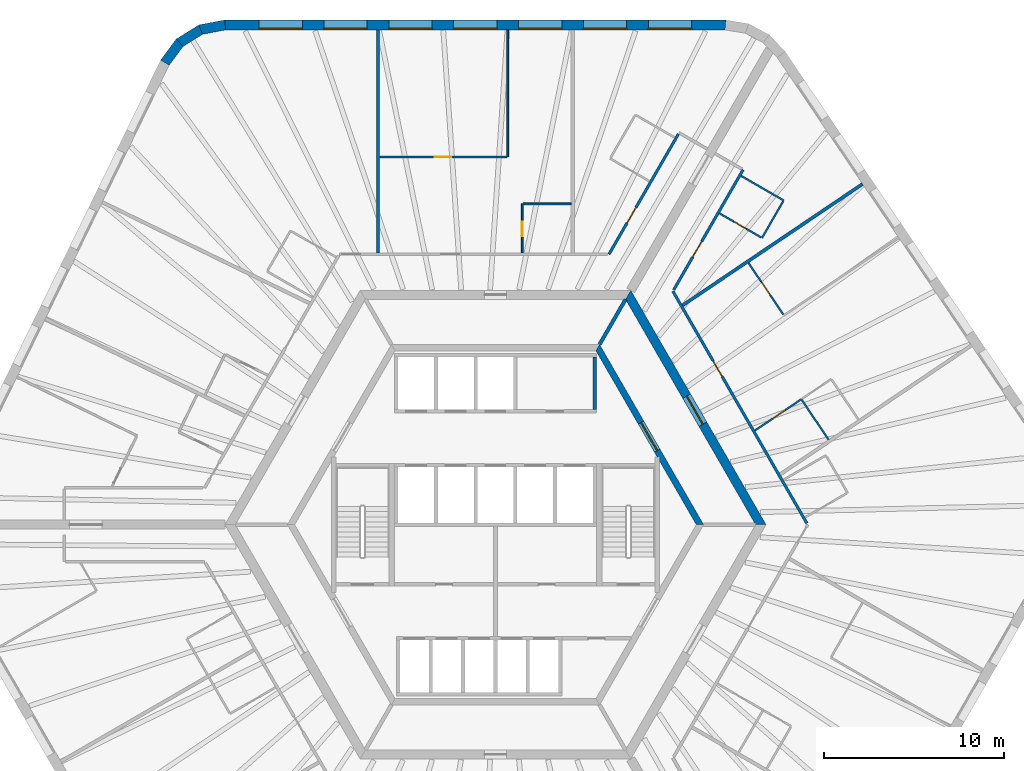
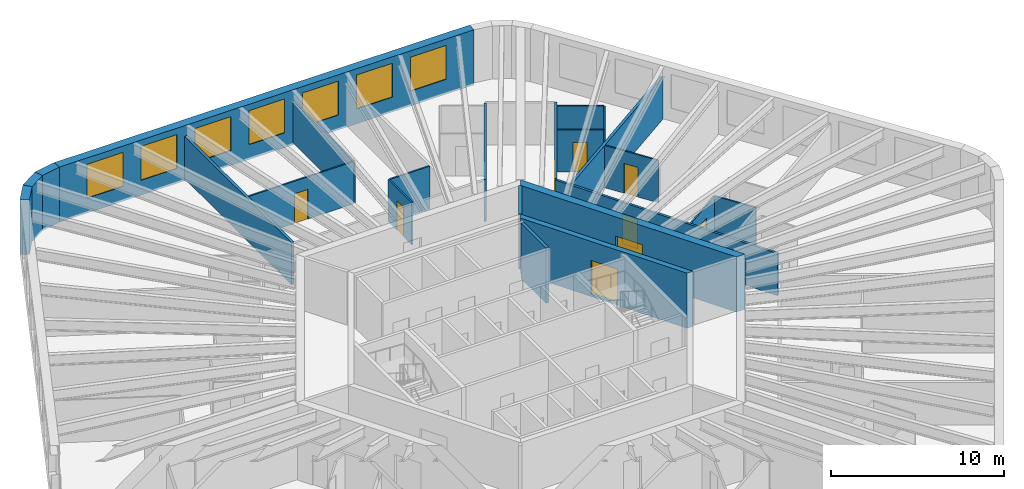
# One storey, part 8 of 10: 23 walls, 10 doors, 7 windows, 17 openings.
"""IFC4 building model written with IfcOpenShell, lengths in metres."""

from ifc_helpers import new_model, si_unit, direction, frame, frame_2d, origin, place, context, subcontext, project, spatial, polyline, rectangle, outline, extrude, material, layer, layer_set, type_object, element, fill, save


model = new_model("IFC4")

# Units and contexts
model_context = context("Model", 3, precision=1e-05, world=origin(), true_north=direction((0.0, 1.0)))
body_context = subcontext(model_context, "Body", "Model", "MODEL_VIEW")
ifc_project = project(units=[si_unit("LENGTHUNIT", "METRE"), si_unit("AREAUNIT", "SQUARE_METRE"), si_unit("VOLUMEUNIT", "CUBIC_METRE"), si_unit("PLANEANGLEUNIT", "RADIAN"), si_unit("MASSUNIT", "GRAM", prefix="KILO")], contexts=[model_context])

# Site, building, storey
site_placement = place(None, origin())
site = spatial("IfcSite", under=ifc_project, at=site_placement, CompositionType="ELEMENT")
building_placement = place(site_placement, origin())
building = spatial("IfcBuilding", under=site, at=building_placement, Name="Tarnside Tower", CompositionType="ELEMENT")
storey_placement = place(building_placement, frame((0.0, 0.0, 187.800048828125)))
storey = spatial("IfcBuildingStorey", under=building, at=storey_placement, Name="L44", CompositionType="ELEMENT", Elevation=187.800048828125)

# Wall, opening, door
ifc_material_1 = material(Name="Gypsum board partition on steel studs", Category="steel")
ifc_layer_1 = layer(ifc_material_1, 0.10009765625)
ifc_layer_set_1 = layer_set([ifc_layer_1], Name="Bathroom wall 100")
wall_type_1 = type_object("IfcWallType", Name="Bathroom wall 100", PredefinedType="PARTITIONING", material=ifc_layer_set_1)
wall_1_placement = place(storey_placement, frame((1.482177734375, 15.074951171875, 0.0), z_axis=(0.0, 0.0, 1.0), x_axis=(0.0, 1.0, 0.0)))
wall_1 = element("IfcWall", 1, at=wall_1_placement, inside=storey, type_object=wall_type_1, Name="Bathroom wall 14058", PredefinedType="PARTITIONING", context=body_context, shape_type="SweptSolid", body=[
    extrude(rectangle(XDim=2.72509765625, YDim=0.10009765625, at=frame_2d((1.362548828125, 0.0))), origin(), (0.0, 0.0, 1.0), 2.98779296875),
])
opening_1_placement = place(wall_1_placement, frame((0.925048828125, 0.0, 0.0)))
opening_1 = element("IfcOpeningElement", 2, at=opening_1_placement, cuts=wall_1, Name="Opening D-B1", PredefinedType="OPENING", context=body_context, shape_type="SweptSolid", body=[
    extrude(rectangle(XDim=0.800048828125, YDim=2.10009765625, at=frame_2d((0.39990234375, 1.050048828125))), frame((0.0, 0.06005859375, 0.0), z_axis=(0.0, -1.0, 0.0), x_axis=(1.0, 0.0, 0.0)), (0.0, 0.0, 1.0), 0.1201171875),
])
ifc_material_2 = material(Name="Timber door leaf", Category="wood")
door_type_1 = type_object("IfcDoorType", Name="Bathroom door 800", OperationType="NOTDEFINED", PredefinedType="DOOR", material=ifc_material_2)
door_1_placement = place(opening_1_placement, origin())
door_1 = element("IfcDoor", 3, at=door_1_placement, inside=storey, type_object=door_type_1, Name="Bathroom door 14004", OperationType="SINGLE_SWING_RIGHT", OverallHeight=2.10009765625, OverallWidth=0.800048828125, PredefinedType="DOOR", context=body_context, shape_type="SweptSolid", body=[
    extrude(rectangle(XDim=0.800048828125, YDim=2.10009765625, at=frame_2d((0.39990234375, 1.050048828125))), frame((0.0, 0.02490234375, 0.0), z_axis=(0.0, -1.0, 0.0), x_axis=(1.0, 0.0, 0.0)), (0.0, 0.0, 1.0), 0.050048828125),
])
fill(opening_1, door_1)

# Wall
wall_2_placement = place(storey_placement, frame((1.5322265625, 17.800048828125, 0.0), z_axis=(0.0, 0.0, 1.0), x_axis=(1.0, 0.0, 0.0)))
element("IfcWall", 4, at=wall_2_placement, inside=storey, type_object=wall_type_1, Name="Bathroom wall 14059", PredefinedType="PARTITIONING", context=body_context, shape_type="SweptSolid", body=[
    extrude(rectangle(XDim=2.659912109375, YDim=0.10009765625, at=frame_2d((1.330078125, 0.0))), origin(), (0.0, 0.0, 1.0), 2.98779296875),
])

# Wall, opening, door
wall_3_placement = place(storey_placement, frame((14.391845703125, 5.22265625, 0.0), z_axis=(0.0, 0.0, 1.0), x_axis=(0.829015360708, 0.559225832477, 0.0)))
wall_3 = element("IfcWall", 5, at=wall_3_placement, inside=storey, type_object=wall_type_1, Name="Bathroom wall 14120", PredefinedType="PARTITIONING", context=body_context, shape_type="SweptSolid", body=[
    extrude(rectangle(XDim=3.106689453125, YDim=0.10009765625, at=frame_2d((1.55322265625, 0.0))), origin(), (0.0, 0.0, 1.0), 2.98779296875),
])
opening_2_placement = place(wall_3_placement, frame((1.20654296875, 0.0, 0.0)))
opening_2 = element("IfcOpeningElement", 6, at=opening_2_placement, cuts=wall_3, Name="Opening D-B1", PredefinedType="OPENING", context=body_context, shape_type="SweptSolid", body=[
    extrude(rectangle(XDim=0.800048828125, YDim=2.10009765625, at=frame_2d((0.39990234375, 1.050048828125))), frame((0.0, 0.06005859375, 0.0), z_axis=(0.0, -1.0, 0.0), x_axis=(1.0, 0.0, 0.0)), (0.0, 0.0, 1.0), 0.1201171875),
])
door_2_placement = place(opening_2_placement, origin())
door_2 = element("IfcDoor", 7, at=door_2_placement, inside=storey, type_object=door_type_1, Name="Bathroom door 14034", OperationType="SINGLE_SWING_LEFT", OverallHeight=2.10009765625, OverallWidth=0.800048828125, PredefinedType="DOOR", context=body_context, shape_type="SweptSolid", body=[
    extrude(rectangle(XDim=0.800048828125, YDim=2.10009765625, at=frame_2d((0.39990234375, 1.050048828125))), frame((0.0, 0.02490234375, 0.0), z_axis=(0.0, -1.0, 0.0), x_axis=(1.0, 0.0, 0.0)), (0.0, 0.0, 1.0), 0.050048828125),
])
fill(opening_2, door_2)

# Walls
wall_4_placement = place(storey_placement, frame((18.482666015625, 4.713134765625, 0.0), z_axis=(0.0, 0.0, 1.0), x_axis=(-0.559140201119, 0.829073118303, 0.0)))
element("IfcWall", 8, at=wall_4_placement, inside=storey, type_object=wall_type_1, Name="Bathroom wall 14126", PredefinedType="PARTITIONING", context=body_context, shape_type="SweptSolid", body=[
    extrude(rectangle(XDim=2.659912109375, YDim=0.10009765625, at=frame_2d((1.330078125, 0.0))), origin(), (0.0, 0.0, 1.0), 2.98779296875),
])
wall_5_placement = place(storey_placement, frame((13.626708984375, 19.352294921875, 0.0), z_axis=(0.0, 0.0, 1.0), x_axis=(0.866012511928, -0.500022328685, 0.0)))
element("IfcWall", 9, at=wall_5_placement, inside=storey, type_object=wall_type_1, Name="Bathroom wall 14128", PredefinedType="PARTITIONING", context=body_context, shape_type="SweptSolid", body=[
    extrude(rectangle(XDim=2.72509765625, YDim=0.10009765625, at=frame_2d((1.362548828125, 0.0))), origin(), (0.0, 0.0, 1.0), 2.98779296875),
])
wall_6_placement = place(storey_placement, frame((15.961669921875, 17.946533203125, 0.0), z_axis=(0.0, 0.0, 1.0), x_axis=(-0.500016218704, -0.866016039709, 0.0)))
element("IfcWall", 10, at=wall_6_placement, inside=storey, type_object=wall_type_1, Name="Bathroom wall 14129", PredefinedType="PARTITIONING", context=body_context, shape_type="SweptSolid", body=[
    extrude(rectangle(XDim=2.35009765625, YDim=0.10009765625, at=frame_2d((1.175048828125, 0.0))), origin(), (0.0, 0.0, 1.0), 2.98779296875),
])

# Wall, opening, door
wall_7_placement = place(storey_placement, frame((14.743408203125, 15.936279296875, 0.0), z_axis=(0.0, 0.0, 1.0), x_axis=(-0.86604424267, 0.499967368674, 0.0)))
wall_7 = element("IfcWall", 11, at=wall_7_placement, inside=storey, type_object=wall_type_1, Name="Bathroom wall 14130", PredefinedType="PARTITIONING", context=body_context, shape_type="SweptSolid", body=[
    extrude(rectangle(XDim=2.675048828125, YDim=0.10009765625, at=frame_2d((1.33740234375, 0.0))), origin(), (0.0, 0.0, 1.0), 2.98779296875),
])
opening_3_placement = place(wall_7_placement, frame((0.949951171875, 0.0, 0.0)))
opening_3 = element("IfcOpeningElement", 12, at=opening_3_placement, cuts=wall_7, Name="Opening D-B1", PredefinedType="OPENING", context=body_context, shape_type="SweptSolid", body=[
    extrude(rectangle(XDim=0.800048828125, YDim=2.10009765625, at=frame_2d((0.39990234375, 1.050048828125))), frame((0.0, 0.06005859375, 0.0), z_axis=(0.0, -1.0, 0.0), x_axis=(1.0, 0.0, 0.0)), (0.0, 0.0, 1.0), 0.1201171875),
])
door_3_placement = place(opening_3_placement, origin())
door_3 = element("IfcDoor", 13, at=door_3_placement, inside=storey, type_object=door_type_1, Name="Bathroom door 14038", OperationType="SINGLE_SWING_RIGHT", OverallHeight=2.10009765625, OverallWidth=0.800048828125, PredefinedType="DOOR", context=body_context, shape_type="SweptSolid", body=[
    extrude(rectangle(XDim=0.800048828125, YDim=2.10009765625, at=frame_2d((0.39990234375, 1.050048828125))), frame((0.0, 0.02490234375, 0.0), z_axis=(0.0, -1.0, 0.0), x_axis=(1.0, 0.0, 0.0)), (0.0, 0.0, 1.0), 0.050048828125),
])
fill(opening_3, door_3)

ifc_material_3 = material(Name="Concrete C50/60", Category="concrete")
ifc_layer_2 = layer(ifc_material_3, 0.35009765625)
ifc_layer_set_2 = layer_set([ifc_layer_2], Name="Core block wall 350 C50/60")
wall_type_2 = type_object("IfcWallType", Name="Core block wall 350 C50/60", PredefinedType="SHEAR", material=ifc_layer_set_2)
wall_8_placement = place(storey_placement, frame((11.344970703125, 0.0, -0.150146484375), z_axis=(0.0, 0.0, 1.0), x_axis=(-0.499995046907, 0.866028263435, 0.0)))
wall_8 = element("IfcWall", 14, at=wall_8_placement, inside=storey, type_object=wall_type_2, Name="L44 core block wall face 6", PredefinedType="SHEAR", context=body_context, shape_type="SweptSolid", body=[
    extrude(outline(polyline([(-0.10107421875, -0.175048828125), (11.44580078125, -0.175048828125), (11.24365234375, 0.175048828125), (0.10107421875, 0.175048828125), (-0.10107421875, -0.175048828125)])), origin(), (0.0, 0.0, 1.0), 3.900146484375),
])
opening_4_placement = place(wall_8_placement, frame((4.74365234375, 0.0, 0.14990234375)))
opening_4 = element("IfcOpeningElement", 15, at=opening_4_placement, cuts=wall_8, Name="Opening CD-LOB", PredefinedType="OPENING", context=body_context, shape_type="SweptSolid", body=[
    extrude(rectangle(XDim=1.800048828125, YDim=2.39990234375, at=frame_2d((0.89990234375, 1.199951171875))), frame((0.0, 0.18505859375, 0.0), z_axis=(0.0, -1.0, 0.0), x_axis=(1.0, 0.0, 0.0)), (0.0, 0.0, 1.0), 0.3701171875),
])
ifc_material_4 = material(Name="Steel fire door", Category="steel")
door_type_2 = type_object("IfcDoorType", Name="Lobby double door FD30S 1800x2400", OperationType="NOTDEFINED", PredefinedType="DOOR", material=ifc_material_4)
door_4_placement = place(opening_4_placement, origin())
door_4 = element("IfcDoor", 16, at=door_4_placement, inside=storey, type_object=door_type_2, Name="L44 lobby block door P2", OperationType="DOUBLE_DOOR_SINGLE_SWING", OverallHeight=2.39990234375, OverallWidth=1.800048828125, PredefinedType="DOOR", context=body_context, shape_type="SweptSolid", body=[
    extrude(rectangle(XDim=1.800048828125, YDim=2.39990234375, at=frame_2d((0.89990234375, 1.199951171875))), frame((0.0, 0.02490234375, 0.0), z_axis=(0.0, -1.0, 0.0), x_axis=(1.0, 0.0, 0.0)), (0.0, 0.0, 1.0), 0.050048828125),
])
fill(opening_4, door_4)

ifc_material_5 = material(Name="Concrete C70/85", Category="concrete")
ifc_layer_3 = layer(ifc_material_5, 0.5)
ifc_layer_set_3 = layer_set([ifc_layer_3], Name="Core wall Z2 500 C70/85")
wall_type_3 = type_object("IfcWallType", Name="Core wall Z2 500 C70/85", PredefinedType="SHEAR", material=ifc_layer_set_3)
wall_9_placement = place(storey_placement, frame((14.722412109375, 0.0, -0.150146484375), z_axis=(0.0, 0.0, 1.0), x_axis=(-0.50000571537, 0.866022103989, 0.0)))
wall_9 = element("IfcWall", 17, at=wall_9_placement, inside=storey, type_object=wall_type_3, Name="L44 core wall face 6", PredefinedType="SHEAR", context=body_context, shape_type="SweptSolid", body=[
    extrude(outline(polyline([(-0.144287109375, -0.25), (14.86669921875, -0.25), (14.578125, 0.25), (0.144287109375, 0.25), (-0.144287109375, -0.25)])), origin(), (0.0, 0.0, 1.0), 3.900146484375),
])
opening_5_placement = place(wall_9_placement, frame((6.432373046875, 0.0, 0.14990234375)))
opening_5 = element("IfcOpeningElement", 18, at=opening_5_placement, cuts=wall_9, Name="Opening CD-LOB", PredefinedType="OPENING", context=body_context, shape_type="SweptSolid", body=[
    extrude(rectangle(XDim=1.800048828125, YDim=2.39990234375, at=frame_2d((0.89990234375, 1.199951171875))), frame((0.0, 0.260009765625, 0.0), z_axis=(0.0, -1.0, 0.0), x_axis=(1.0, 0.0, 0.0)), (0.0, 0.0, 1.0), 0.52001953125),
])
door_5_placement = place(opening_5_placement, origin())
door_5 = element("IfcDoor", 19, at=door_5_placement, inside=storey, type_object=door_type_2, Name="L44 core door P2", OperationType="DOUBLE_DOOR_SINGLE_SWING", OverallHeight=2.39990234375, OverallWidth=1.800048828125, PredefinedType="DOOR", context=body_context, shape_type="SweptSolid", body=[
    extrude(rectangle(XDim=1.800048828125, YDim=2.39990234375, at=frame_2d((0.89990234375, 1.199951171875))), frame((0.0, 0.02490234375, 0.0), z_axis=(0.0, -1.0, 0.0), x_axis=(1.0, 0.0, 0.0)), (0.0, 0.0, 1.0), 0.050048828125),
])
fill(opening_5, door_5)

ifc_layer_4 = layer(ifc_material_1, 0.14990234375)
ifc_layer_set_4 = layer_set([ifc_layer_4], Name="Corridor wall 150 EI 60")
wall_type_4 = type_object("IfcWallType", Name="Corridor wall 150 EI 60", PredefinedType="PARTITIONING", material=ifc_layer_set_4)
wall_10_placement = place(storey_placement, frame((10.148681640625, 21.677978515625, 0.0), z_axis=(0.0, 0.0, 1.0), x_axis=(-0.499993780622, -0.866028994514, 0.0)))
wall_10 = element("IfcWall", 20, at=wall_10_placement, inside=storey, type_object=wall_type_4, Name="Corridor wall 14001", PredefinedType="PARTITIONING", context=body_context, shape_type="SweptSolid", body=[
    extrude(rectangle(XDim=7.7109375, YDim=0.14990234375, at=frame_2d((3.85546875, 0.0))), origin(), (0.0, 0.0, 1.0), 2.98779296875),
])
opening_6_placement = place(wall_10_placement, frame((4.718017578125, 0.0, 0.0)))
opening_6 = element("IfcOpeningElement", 21, at=opening_6_placement, cuts=wall_10, Name="Opening D-E1", PredefinedType="OPENING", context=body_context, shape_type="SweptSolid", body=[
    extrude(rectangle(XDim=1.0, YDim=2.10009765625, at=frame_2d((0.5, 1.050048828125))), frame((0.0, 0.0849609375, 0.0), z_axis=(0.0, -1.0, 0.0), x_axis=(1.0, 0.0, 0.0)), (0.0, 0.0, 1.0), 0.169921875),
])
door_type_3 = type_object("IfcDoorType", Name="Unit entrance door 1000 FD30S", OperationType="NOTDEFINED", PredefinedType="DOOR", material=ifc_material_2)
door_6_placement = place(opening_6_placement, origin())
door_6 = element("IfcDoor", 22, at=door_6_placement, inside=storey, type_object=door_type_3, Name="Unit door 14001", OperationType="SINGLE_SWING_LEFT", OverallHeight=2.10009765625, OverallWidth=1.0, PredefinedType="DOOR", context=body_context, shape_type="SweptSolid", body=[
    extrude(rectangle(XDim=1.0, YDim=2.10009765625, at=frame_2d((0.5, 1.050048828125))), frame((0.0, 0.02490234375, 0.0), z_axis=(0.0, -1.0, 0.0), x_axis=(1.0, 0.0, 0.0)), (0.0, 0.0, 1.0), 0.050048828125),
])
fill(opening_6, door_6)

wall_11_placement = place(storey_placement, frame((17.277099609375, 0.074951171875, 0.0), z_axis=(0.0, 0.0, 1.0), x_axis=(-0.499998228944, 0.866026426302, 0.0)))
wall_11 = element("IfcWall", 23, at=wall_11_placement, inside=storey, type_object=wall_type_4, Name="Corridor wall 14042", PredefinedType="PARTITIONING", context=body_context, shape_type="SweptSolid", body=[
    extrude(rectangle(XDim=14.86669921875, YDim=0.14990234375, at=frame_2d((7.433349609375, 0.0))), origin(), (0.0, 0.0, 1.0), 2.98779296875),
])
opening_7_placement = place(wall_11_placement, frame((9.3984375, 0.0, 0.0)))
opening_7 = element("IfcOpeningElement", 24, at=opening_7_placement, cuts=wall_11, Name="Opening D-E1", PredefinedType="OPENING", context=body_context, shape_type="SweptSolid", body=[
    extrude(rectangle(XDim=1.0, YDim=2.10009765625, at=frame_2d((0.5, 1.050048828125))), frame((0.0, 0.0849609375, 0.0), z_axis=(0.0, -1.0, 0.0), x_axis=(1.0, 0.0, 0.0)), (0.0, 0.0, 1.0), 0.169921875),
])
door_7_placement = place(opening_7_placement, origin())
door_7 = element("IfcDoor", 25, at=door_7_placement, inside=storey, type_object=door_type_3, Name="Unit door 14033", OperationType="SINGLE_SWING_RIGHT", OverallHeight=2.10009765625, OverallWidth=1.0, PredefinedType="DOOR", context=body_context, shape_type="SweptSolid", body=[
    extrude(rectangle(XDim=1.0, YDim=2.10009765625, at=frame_2d((0.5, 1.050048828125))), frame((0.0, 0.02490234375, 0.0), z_axis=(0.0, -1.0, 0.0), x_axis=(1.0, 0.0, 0.0)), (0.0, 0.0, 1.0), 0.050048828125),
])
fill(opening_7, door_7)

wall_12_placement = place(storey_placement, frame((9.88720703125, 13.02490234375, 0.0), z_axis=(0.0, 0.0, 1.0), x_axis=(0.499985955615, 0.866033512162, 0.0)))
wall_12 = element("IfcWall", 26, at=wall_12_placement, inside=storey, type_object=wall_type_4, Name="Corridor wall 14049", PredefinedType="PARTITIONING", context=body_context, shape_type="SweptSolid", body=[
    extrude(rectangle(XDim=7.699462890625, YDim=0.14990234375, at=frame_2d((3.849609375, 0.0))), origin(), (0.0, 0.0, 1.0), 2.98779296875),
])
opening_8_placement = place(wall_12_placement, frame((2.1064453125, 0.0, 0.0)))
opening_8 = element("IfcOpeningElement", 27, at=opening_8_placement, cuts=wall_12, Name="Opening D-E1", PredefinedType="OPENING", context=body_context, shape_type="SweptSolid", body=[
    extrude(rectangle(XDim=1.0, YDim=2.10009765625, at=frame_2d((0.5, 1.050048828125))), frame((0.0, 0.0849609375, 0.0), z_axis=(0.0, -1.0, 0.0), x_axis=(1.0, 0.0, 0.0)), (0.0, 0.0, 1.0), 0.169921875),
])
door_8_placement = place(opening_8_placement, origin())
door_8 = element("IfcDoor", 28, at=door_8_placement, inside=storey, type_object=door_type_3, Name="Unit door 14037", OperationType="SINGLE_SWING_RIGHT", OverallHeight=2.10009765625, OverallWidth=1.0, PredefinedType="DOOR", context=body_context, shape_type="SweptSolid", body=[
    extrude(rectangle(XDim=1.0, YDim=2.10009765625, at=frame_2d((0.5, 1.050048828125))), frame((0.0, 0.02490234375, 0.0), z_axis=(0.0, -1.0, 0.0), x_axis=(1.0, 0.0, 0.0)), (0.0, 0.0, 1.0), 0.050048828125),
])
fill(opening_8, door_8)

# Walls
ifc_layer_5 = layer(ifc_material_1, 0.179931640625)
ifc_layer_set_5 = layer_set([ifc_layer_5], Name="Demising wall 180 EI 60")
wall_type_5 = type_object("IfcWallType", Name="Demising wall 180 EI 60", PredefinedType="PARTITIONING", material=ifc_layer_set_5)
wall_13_placement = place(storey_placement, frame((-6.517822265625, 27.449951171875, 0.0), z_axis=(0.0, 0.0, 1.0), x_axis=(0.0, -1.0, 0.0)))
element("IfcWall", 29, at=wall_13_placement, inside=storey, type_object=wall_type_5, Name="Demising wall 14062", PredefinedType="PARTITIONING", context=body_context, shape_type="SweptSolid", body=[
    extrude(rectangle(XDim=12.375, YDim=0.179931640625, at=frame_2d((6.1875, 0.0))), origin(), (0.0, 0.0, 1.0), 2.98779296875),
])
wall_14_placement = place(storey_placement, frame((20.362548828125, 18.89990234375, 0.0), z_axis=(0.0, 0.0, 1.0), x_axis=(-0.829027307641, -0.559208121531, 0.0)))
element("IfcWall", 30, at=wall_14_placement, inside=storey, type_object=wall_type_5, Name="Demising wall 14125", PredefinedType="PARTITIONING", context=body_context, shape_type="SweptSolid", body=[
    extrude(rectangle(XDim=12.038818359375, YDim=0.179931640625, at=frame_2d((6.01953125, 0.0))), origin(), (0.0, 0.0, 1.0), 2.98779296875),
])
ifc_material_6 = material(Name="Concrete C40/50", Category="concrete")
ifc_layer_6 = layer(ifc_material_6, 0.199951171875)
ifc_layer_set_6 = layer_set([ifc_layer_6], Name="Lift shaft wall 200 C40/50")
wall_type_6 = type_object("IfcWallType", Name="Lift shaft wall 200 C40/50", PredefinedType="SHEAR", material=ifc_layer_set_6)
wall_15_placement = place(storey_placement, frame((5.5, 6.39990234375, -0.25), z_axis=(0.0, 0.0, 1.0), x_axis=(0.0, 1.0, 0.0)))
element("IfcWall", 31, at=wall_15_placement, inside=storey, type_object=wall_type_6, Name="L44 lift shaft partition R16", PredefinedType="SHEAR", context=body_context, shape_type="SweptSolid", body=[
    extrude(rectangle(XDim=2.900146484375, YDim=0.199951171875, at=frame_2d((1.4501953125, 0.0))), origin(), (0.0, 0.0, 1.0), 3.89990234375),
])
wall_16_placement = place(storey_placement, frame((5.7734375, 10.0, -0.150146484375), z_axis=(0.0, 0.0, 1.0), x_axis=(0.499995765644, 0.866027848477, 0.0)))
element("IfcWall", 32, at=wall_16_placement, inside=storey, type_object=wall_type_6, Name="L44 core partition AR60", PredefinedType="SHEAR", context=body_context, shape_type="SweptSolid", body=[
    extrude(rectangle(XDim=2.88671875, YDim=0.199951171875, at=frame_2d((1.443359375, 0.0))), origin(), (0.0, 0.0, 1.0), 3.900146484375),
])
ifc_layer_7 = layer(ifc_material_1, 0.10009765625)
ifc_layer_set_7 = layer_set([ifc_layer_7], Name="Partition 100")
wall_type_7 = type_object("IfcWallType", Name="Partition 100", PredefinedType="PARTITIONING", material=ifc_layer_set_7)
wall_17_placement = place(storey_placement, frame((0.68212890625, 27.449951171875, 0.0), z_axis=(0.0, 0.0, 1.0), x_axis=(0.0, -1.0, 0.0)))
element("IfcWall", 33, at=wall_17_placement, inside=storey, type_object=wall_type_7, Name="Partition wall 14060", PredefinedType="PARTITIONING", context=body_context, shape_type="SweptSolid", body=[
    extrude(rectangle(XDim=7.050048828125, YDim=0.10009765625, at=frame_2d((3.52490234375, 0.0))), origin(), (0.0, 0.0, 1.0), 2.98779296875),
])

# Wall, opening, door
wall_18_placement = place(storey_placement, frame((0.632080078125, 20.39990234375, 0.0), z_axis=(0.0, 0.0, 1.0), x_axis=(-1.0, 0.0, 0.0)))
wall_18 = element("IfcWall", 34, at=wall_18_placement, inside=storey, type_object=wall_type_7, Name="Partition wall 14061", PredefinedType="PARTITIONING", context=body_context, shape_type="SweptSolid", body=[
    extrude(rectangle(XDim=7.06005859375, YDim=0.10009765625, at=frame_2d((3.530029296875, 0.0))), origin(), (0.0, 0.0, 1.0), 2.98779296875),
])
opening_9_placement = place(wall_18_placement, frame((3.10009765625, 0.0, 0.0)))
opening_9 = element("IfcOpeningElement", 35, at=opening_9_placement, cuts=wall_18, Name="Opening D-I1", PredefinedType="OPENING", context=body_context, shape_type="SweptSolid", body=[
    extrude(rectangle(XDim=0.89990234375, YDim=2.10009765625, at=frame_2d((0.449951171875, 1.050048828125))), frame((0.0, 0.06005859375, 0.0), z_axis=(0.0, -1.0, 0.0), x_axis=(1.0, 0.0, 0.0)), (0.0, 0.0, 1.0), 0.1201171875),
])
door_type_4 = type_object("IfcDoorType", Name="Internal door 900", OperationType="NOTDEFINED", PredefinedType="DOOR", material=ifc_material_2)
door_9_placement = place(opening_9_placement, origin())
door_9 = element("IfcDoor", 36, at=door_9_placement, inside=storey, type_object=door_type_4, Name="Internal door 14005", OperationType="SINGLE_SWING_LEFT", OverallHeight=2.10009765625, OverallWidth=0.89990234375, PredefinedType="DOOR", context=body_context, shape_type="SweptSolid", body=[
    extrude(rectangle(XDim=0.89990234375, YDim=2.10009765625, at=frame_2d((0.449951171875, 1.050048828125))), frame((0.0, 0.02490234375, 0.0), z_axis=(0.0, -1.0, 0.0), x_axis=(1.0, 0.0, 0.0)), (0.0, 0.0, 1.0), 0.050048828125),
])
fill(opening_9, door_9)

wall_19_placement = place(storey_placement, frame((15.97119140625, 11.65576171875, 0.0), z_axis=(0.0, 0.0, 1.0), x_axis=(-0.559202575539, 0.829031048581, 0.0)))
wall_19 = element("IfcWall", 37, at=wall_19_placement, inside=storey, type_object=wall_type_7, Name="Partition wall 14124", PredefinedType="PARTITIONING", context=body_context, shape_type="SweptSolid", body=[
    extrude(rectangle(XDim=3.4599609375, YDim=0.10009765625, at=frame_2d((1.72998046875, 0.0))), origin(), (0.0, 0.0, 1.0), 2.98779296875),
])
opening_10_placement = place(wall_19_placement, frame((1.300048828125, 0.0, 0.0)))
opening_10 = element("IfcOpeningElement", 38, at=opening_10_placement, cuts=wall_19, Name="Opening D-I1", PredefinedType="OPENING", context=body_context, shape_type="SweptSolid", body=[
    extrude(rectangle(XDim=0.89990234375, YDim=2.10009765625, at=frame_2d((0.449951171875, 1.050048828125))), frame((0.0, 0.06005859375, 0.0), z_axis=(0.0, -1.0, 0.0), x_axis=(1.0, 0.0, 0.0)), (0.0, 0.0, 1.0), 0.1201171875),
])
door_10_placement = place(opening_10_placement, origin())
door_10 = element("IfcDoor", 39, at=door_10_placement, inside=storey, type_object=door_type_4, Name="Internal door 14036", OperationType="SINGLE_SWING_LEFT", OverallHeight=2.10009765625, OverallWidth=0.89990234375, PredefinedType="DOOR", context=body_context, shape_type="SweptSolid", body=[
    extrude(rectangle(XDim=0.89990234375, YDim=2.10009765625, at=frame_2d((0.449951171875, 1.050048828125))), frame((0.0, 0.02490234375, 0.0), z_axis=(0.0, -1.0, 0.0), x_axis=(1.0, 0.0, 0.0)), (0.0, 0.0, 1.0), 0.050048828125),
])
fill(opening_10, door_10)

# Wall, openings, windows
ifc_material_7 = material(Name="Facing brick", Category="masonry")
ifc_layer_8 = layer(ifc_material_7, 0.10205078125)
ifc_material_8 = material(Name="Concrete C60/75 precast", Category="concrete")
ifc_layer_9 = layer(ifc_material_8, 0.347900390625)
ifc_material_9 = material(Name="Mineral wool insulation")
ifc_layer_10 = layer(ifc_material_9, 0.10009765625)
ifc_layer_set_8 = layer_set([ifc_layer_8, ifc_layer_9, ifc_layer_10], Name="Tube wall 550 brick faced")
wall_type_8 = type_object("IfcWallType", Name="Tube wall 550 brick faced", PredefinedType="SOLIDWALL", material=ifc_layer_set_8)
wall_20_placement = place(storey_placement, frame((12.760986328125, 27.72509765625, -0.150146484375), z_axis=(0.0, 0.0, 1.0), x_axis=(-1.0, 0.0, 0.0)))
wall_20 = element("IfcWall", 40, at=wall_20_placement, inside=storey, type_object=wall_type_8, Name="Tube wall L44 F1 flush 00", PredefinedType="SOLIDWALL", context=body_context, shape_type="SweptSolid", body=[
    extrude(outline(polyline([(-0.0224609375, -0.27490234375), (27.783447265625, -0.27490234375), (27.732177734375, 0.27490234375), (0.0224609375, 0.27490234375), (-0.0224609375, -0.27490234375)])), origin(), (0.0, 0.0, 1.0), 3.900146484375),
])
opening_11_placement = place(wall_20_placement, frame((1.87890625, 0.0, 1.050048828125)))
opening_11 = element("IfcOpeningElement", 41, at=opening_11_placement, cuts=wall_20, Name="Opening WH", PredefinedType="OPENING", context=body_context, shape_type="SweptSolid", body=[
    extrude(rectangle(XDim=2.39990234375, YDim=2.39990234375, at=frame_2d((1.199951171875, 1.199951171875))), frame((0.0, 0.28515625, 0.0), z_axis=(0.0, -1.0, 0.0), x_axis=(1.0, 0.0, 0.0)), (0.0, 0.0, 1.0), 0.570068359375),
])
opening_12_placement = place(wall_20_placement, frame((5.47900390625, 0.0, 1.050048828125)))
opening_12 = element("IfcOpeningElement", 42, at=opening_12_placement, cuts=wall_20, Name="Opening WH", PredefinedType="OPENING", context=body_context, shape_type="SweptSolid", body=[
    extrude(rectangle(XDim=2.39990234375, YDim=2.39990234375, at=frame_2d((1.199951171875, 1.199951171875))), frame((0.0, 0.28515625, 0.0), z_axis=(0.0, -1.0, 0.0), x_axis=(1.0, 0.0, 0.0)), (0.0, 0.0, 1.0), 0.570068359375),
])
opening_13_placement = place(wall_20_placement, frame((9.078857421875, 0.0, 1.050048828125)))
opening_13 = element("IfcOpeningElement", 43, at=opening_13_placement, cuts=wall_20, Name="Opening WH", PredefinedType="OPENING", context=body_context, shape_type="SweptSolid", body=[
    extrude(rectangle(XDim=2.39990234375, YDim=2.39990234375, at=frame_2d((1.199951171875, 1.199951171875))), frame((0.0, 0.28515625, 0.0), z_axis=(0.0, -1.0, 0.0), x_axis=(1.0, 0.0, 0.0)), (0.0, 0.0, 1.0), 0.570068359375),
])
opening_14_placement = place(wall_20_placement, frame((12.678955078125, 0.0, 1.050048828125)))
opening_14 = element("IfcOpeningElement", 44, at=opening_14_placement, cuts=wall_20, Name="Opening WH", PredefinedType="OPENING", context=body_context, shape_type="SweptSolid", body=[
    extrude(rectangle(XDim=2.39990234375, YDim=2.39990234375, at=frame_2d((1.199951171875, 1.199951171875))), frame((0.0, 0.28515625, 0.0), z_axis=(0.0, -1.0, 0.0), x_axis=(1.0, 0.0, 0.0)), (0.0, 0.0, 1.0), 0.570068359375),
])
opening_15_placement = place(wall_20_placement, frame((16.27880859375, 0.0, 1.050048828125)))
opening_15 = element("IfcOpeningElement", 45, at=opening_15_placement, cuts=wall_20, Name="Opening WH", PredefinedType="OPENING", context=body_context, shape_type="SweptSolid", body=[
    extrude(rectangle(XDim=2.39990234375, YDim=2.39990234375, at=frame_2d((1.199951171875, 1.199951171875))), frame((0.0, 0.28515625, 0.0), z_axis=(0.0, -1.0, 0.0), x_axis=(1.0, 0.0, 0.0)), (0.0, 0.0, 1.0), 0.570068359375),
])
opening_16_placement = place(wall_20_placement, frame((19.87890625, 0.0, 1.050048828125)))
opening_16 = element("IfcOpeningElement", 46, at=opening_16_placement, cuts=wall_20, Name="Opening WH", PredefinedType="OPENING", context=body_context, shape_type="SweptSolid", body=[
    extrude(rectangle(XDim=2.39990234375, YDim=2.39990234375, at=frame_2d((1.199951171875, 1.199951171875))), frame((0.0, 0.28515625, 0.0), z_axis=(0.0, -1.0, 0.0), x_axis=(1.0, 0.0, 0.0)), (0.0, 0.0, 1.0), 0.570068359375),
])
opening_17_placement = place(wall_20_placement, frame((23.47900390625, 0.0, 1.050048828125)))
opening_17 = element("IfcOpeningElement", 47, at=opening_17_placement, cuts=wall_20, Name="Opening WH", PredefinedType="OPENING", context=body_context, shape_type="SweptSolid", body=[
    extrude(rectangle(XDim=2.39990234375, YDim=2.39990234375, at=frame_2d((1.199951171875, 1.199951171875))), frame((0.0, 0.28515625, 0.0), z_axis=(0.0, -1.0, 0.0), x_axis=(1.0, 0.0, 0.0)), (0.0, 0.0, 1.0), 0.570068359375),
])
ifc_material_10 = material(Name="Aluminium-framed double glazing", Category="aluminium")
window_type = type_object("IfcWindowType", Name="Hotel window 2400 x 2400", PartitioningType="DOUBLE_PANEL_VERTICAL", PredefinedType="WINDOW", material=ifc_material_10)
window_1_placement = place(opening_11_placement, frame((0.0, 0.205078125, 0.0)))
window_1 = element("IfcWindow", 48, at=window_1_placement, inside=storey, type_object=window_type, Name="E.WN.L44.F1.00", OverallHeight=2.39990234375, OverallWidth=2.39990234375, PartitioningType="DOUBLE_PANEL_VERTICAL", PredefinedType="WINDOW", context=body_context, shape_type="SweptSolid", body=[
    extrude(rectangle(XDim=2.39990234375, YDim=2.39990234375, at=frame_2d((1.199951171875, 1.199951171875))), frame((0.0, 0.030029296875, 0.0), z_axis=(0.0, -1.0, 0.0), x_axis=(1.0, 0.0, 0.0)), (0.0, 0.0, 1.0), 0.06005859375),
])
fill(opening_11, window_1)
window_2_placement = place(opening_12_placement, frame((0.0, 0.205078125, 0.0)))
window_2 = element("IfcWindow", 49, at=window_2_placement, inside=storey, type_object=window_type, Name="E.WN.L44.F1.01", OverallHeight=2.39990234375, OverallWidth=2.39990234375, PartitioningType="DOUBLE_PANEL_VERTICAL", PredefinedType="WINDOW", context=body_context, shape_type="SweptSolid", body=[
    extrude(rectangle(XDim=2.39990234375, YDim=2.39990234375, at=frame_2d((1.199951171875, 1.199951171875))), frame((0.0, 0.030029296875, 0.0), z_axis=(0.0, -1.0, 0.0), x_axis=(1.0, 0.0, 0.0)), (0.0, 0.0, 1.0), 0.06005859375),
])
fill(opening_12, window_2)
window_3_placement = place(opening_13_placement, frame((0.0, 0.205078125, 0.0)))
window_3 = element("IfcWindow", 50, at=window_3_placement, inside=storey, type_object=window_type, Name="E.WN.L44.F1.02", OverallHeight=2.39990234375, OverallWidth=2.39990234375, PartitioningType="DOUBLE_PANEL_VERTICAL", PredefinedType="WINDOW", context=body_context, shape_type="SweptSolid", body=[
    extrude(rectangle(XDim=2.39990234375, YDim=2.39990234375, at=frame_2d((1.199951171875, 1.199951171875))), frame((0.0, 0.030029296875, 0.0), z_axis=(0.0, -1.0, 0.0), x_axis=(1.0, 0.0, 0.0)), (0.0, 0.0, 1.0), 0.06005859375),
])
fill(opening_13, window_3)
window_4_placement = place(opening_14_placement, frame((0.0, 0.205078125, 0.0)))
window_4 = element("IfcWindow", 51, at=window_4_placement, inside=storey, type_object=window_type, Name="E.WN.L44.F1.03", OverallHeight=2.39990234375, OverallWidth=2.39990234375, PartitioningType="DOUBLE_PANEL_VERTICAL", PredefinedType="WINDOW", context=body_context, shape_type="SweptSolid", body=[
    extrude(rectangle(XDim=2.39990234375, YDim=2.39990234375, at=frame_2d((1.199951171875, 1.199951171875))), frame((0.0, 0.030029296875, 0.0), z_axis=(0.0, -1.0, 0.0), x_axis=(1.0, 0.0, 0.0)), (0.0, 0.0, 1.0), 0.06005859375),
])
fill(opening_14, window_4)
window_5_placement = place(opening_15_placement, frame((0.0, 0.205078125, 0.0)))
window_5 = element("IfcWindow", 52, at=window_5_placement, inside=storey, type_object=window_type, Name="E.WN.L44.F1.04", OverallHeight=2.39990234375, OverallWidth=2.39990234375, PartitioningType="DOUBLE_PANEL_VERTICAL", PredefinedType="WINDOW", context=body_context, shape_type="SweptSolid", body=[
    extrude(rectangle(XDim=2.39990234375, YDim=2.39990234375, at=frame_2d((1.199951171875, 1.199951171875))), frame((0.0, 0.030029296875, 0.0), z_axis=(0.0, -1.0, 0.0), x_axis=(1.0, 0.0, 0.0)), (0.0, 0.0, 1.0), 0.06005859375),
])
fill(opening_15, window_5)
window_6_placement = place(opening_16_placement, frame((0.0, 0.205078125, 0.0)))
window_6 = element("IfcWindow", 53, at=window_6_placement, inside=storey, type_object=window_type, Name="E.WN.L44.F1.05", OverallHeight=2.39990234375, OverallWidth=2.39990234375, PartitioningType="DOUBLE_PANEL_VERTICAL", PredefinedType="WINDOW", context=body_context, shape_type="SweptSolid", body=[
    extrude(rectangle(XDim=2.39990234375, YDim=2.39990234375, at=frame_2d((1.199951171875, 1.199951171875))), frame((0.0, 0.030029296875, 0.0), z_axis=(0.0, -1.0, 0.0), x_axis=(1.0, 0.0, 0.0)), (0.0, 0.0, 1.0), 0.06005859375),
])
fill(opening_16, window_6)
window_7_placement = place(opening_17_placement, frame((0.0, 0.205078125, 0.0)))
window_7 = element("IfcWindow", 54, at=window_7_placement, inside=storey, type_object=window_type, Name="E.WN.L44.F1.06", OverallHeight=2.39990234375, OverallWidth=2.39990234375, PartitioningType="DOUBLE_PANEL_VERTICAL", PredefinedType="WINDOW", context=body_context, shape_type="SweptSolid", body=[
    extrude(rectangle(XDim=2.39990234375, YDim=2.39990234375, at=frame_2d((1.199951171875, 1.199951171875))), frame((0.0, 0.030029296875, 0.0), z_axis=(0.0, -1.0, 0.0), x_axis=(1.0, 0.0, 0.0)), (0.0, 0.0, 1.0), 0.06005859375),
])
fill(opening_17, window_7)

# Walls
wall_21_placement = place(storey_placement, frame((-14.996826171875, 27.72509765625, -0.150146484375), z_axis=(0.0, 0.0, 1.0), x_axis=(-0.982705443133, -0.185175624845, 0.0)))
element("IfcWall", 55, at=wall_21_placement, inside=storey, type_object=wall_type_8, Name="Tube wall L44 F1 chord 01", PredefinedType="SOLIDWALL", context=body_context, shape_type="SweptSolid", body=[
    extrude(outline(polyline([(-0.025634765625, -0.27490234375), (1.430908203125, -0.27490234375), (1.327392578125, 0.27490234375), (0.025634765625, 0.27490234375), (-0.025634765625, -0.27490234375)])), origin(), (0.0, 0.0, 1.0), 3.900146484375),
])
wall_22_placement = place(storey_placement, frame((-16.35205078125, 27.4697265625, -0.150146484375), z_axis=(0.0, 0.0, 1.0), x_axis=(-0.848057977594, -0.5299034503, 0.0)))
element("IfcWall", 56, at=wall_22_placement, inside=storey, type_object=wall_type_8, Name="Tube wall L44 F1 chord 02", PredefinedType="SOLIDWALL", context=body_context, shape_type="SweptSolid", body=[
    extrude(outline(polyline([(-0.0517578125, -0.27490234375), (1.4306640625, -0.27490234375), (1.3271484375, 0.27490234375), (0.0517578125, 0.27490234375), (-0.0517578125, -0.27490234375)])), origin(), (0.0, 0.0, 1.0), 3.900146484375),
])
wall_23_placement = place(storey_placement, frame((-17.521484375, 26.739013671875, -0.150146484375), z_axis=(0.0, 0.0, 1.0), x_axis=(-0.597135295884, -0.802140535324, 0.0)))
element("IfcWall", 57, at=wall_23_placement, inside=storey, type_object=wall_type_8, Name="Tube wall L44 F1 chord 03", PredefinedType="SOLIDWALL", context=body_context, shape_type="SweptSolid", body=[
    extrude(outline(polyline([(-0.0517578125, -0.27490234375), (1.40478515625, -0.27490234375), (1.353515625, 0.27490234375), (0.0517578125, 0.27490234375), (-0.0517578125, -0.27490234375)])), origin(), (0.0, 0.0, 1.0), 3.900146484375),
])

save(model, "model.ifc")
